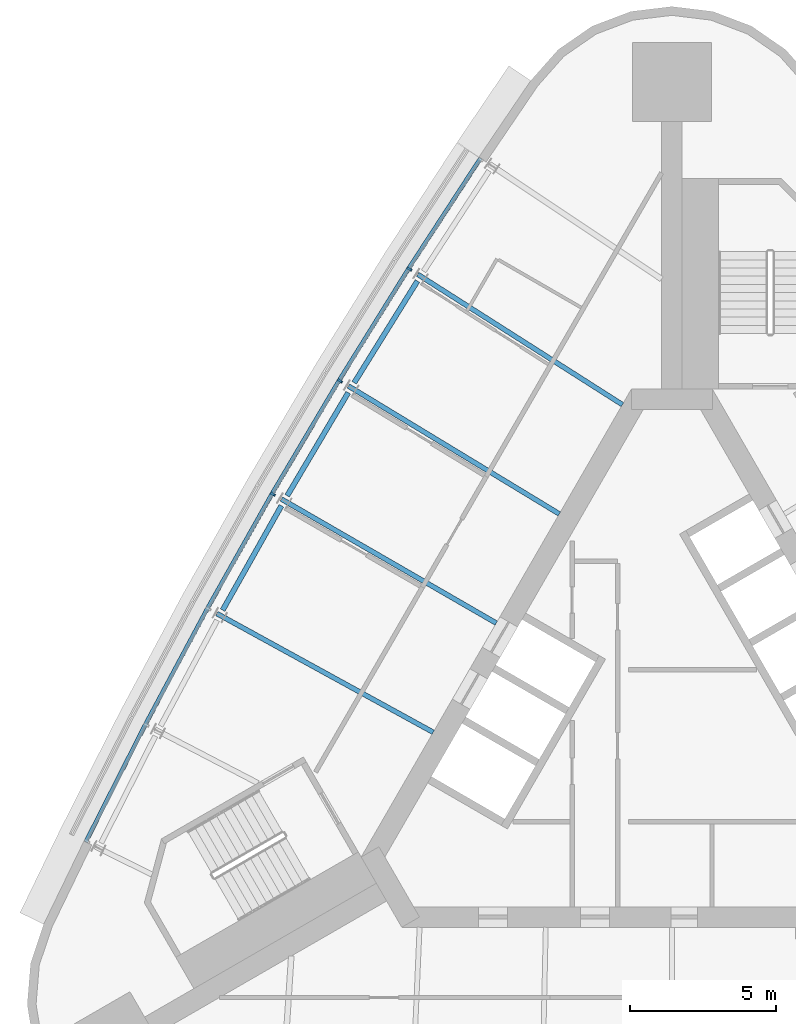
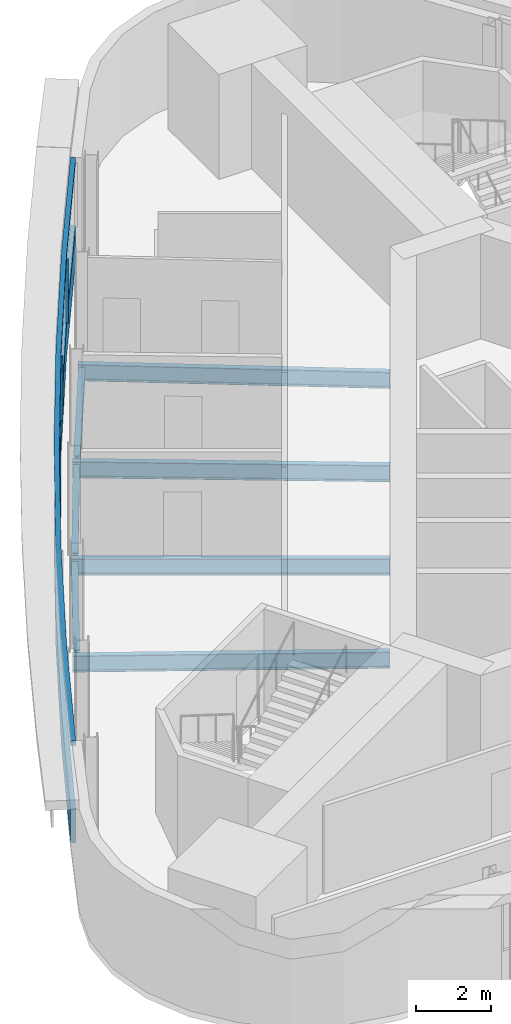
# One storey, part 3 of 10: 7 beams, 5 members, 1 element without a shape of its own.
"""IFC4 building model written with IfcOpenShell, lengths in metres."""

from ifc_helpers import new_model, si_unit, direction, frame, origin, origin_2d, place, context, subcontext, project, spatial, polyline, rectangle, i_section, outline, extrude, material, material_profile, profile_set, type_object, element, aggregate, save


model = new_model("IFC4")

# Units and contexts
model_context = context("Model", 3, precision=1e-05, world=origin(), true_north=direction((0.0, 1.0)))
body_context = subcontext(model_context, "Body", "Model", "MODEL_VIEW")
ifc_project = project(units=[si_unit("LENGTHUNIT", "METRE"), si_unit("AREAUNIT", "SQUARE_METRE"), si_unit("VOLUMEUNIT", "CUBIC_METRE"), si_unit("PLANEANGLEUNIT", "RADIAN"), si_unit("MASSUNIT", "GRAM", prefix="KILO")], contexts=[model_context])

# Site, building, storey
site_placement = place(None, origin())
site = spatial("IfcSite", under=ifc_project, at=site_placement, CompositionType="ELEMENT")
building_placement = place(site_placement, origin())
building = spatial("IfcBuilding", under=site, at=building_placement, Name="Noor Cloister Tower", CompositionType="ELEMENT")
storey_placement = place(building_placement, frame((0.0, 0.0, 195.89990234375)))
storey = spatial("IfcBuildingStorey", under=building, at=storey_placement, Name="L50", CompositionType="ELEMENT", Elevation=195.89990234375)

# Curtain wall, members
ifc_material_1 = material(Name="Aluminium 6063-T6 anodised", Category="aluminium")
curtain_wall_type = type_object("IfcCurtainWallType", Name="Ribbon curtain wall, upper tower CW5", PredefinedType="NOTDEFINED", material=ifc_material_1)
curtain_wall_placement = place(storey_placement, origin())
curtain_wall = element("IfcCurtainWall", 1, at=curtain_wall_placement, inside=storey, type_object=curtain_wall_type, Name="CW5 L50 NW run 1", PredefinedType="NOTDEFINED")
ifc_material_2 = material(Name="Aluminium 6063-T6 anodised", Category="aluminium")
member_type_1 = type_object("IfcMemberType", Name="Head transom CW5 150", PredefinedType="USERDEFINED", material=ifc_material_2)
member_1_placement = place(storey_placement, frame((0.0, 0.0, 3.150146484375)))
member_1 = element("IfcMember", 2, at=member_1_placement, type_object=member_type_1, Name="CW5 head transom", ObjectType="TRANSOM", PredefinedType="USERDEFINED", context=body_context, shape_type="SweptSolid", body=[
    extrude(outline(polyline([(-6.59521484375, 19.38525390625), (-9.052490234375, 15.615478515625), (-11.427734375, 11.79345703125), (-13.7197265625, 7.921142578125), (-15.927490234375, 4.0), (-18.0498046875, 0.031982421875), (-20.085693359375, -3.98095703125), (-19.960693359375, -4.04443359375), (-17.925537109375, -0.03271484375), (-15.8046875, 3.9326171875), (-13.598388671875, 7.85107421875), (-11.30810546875, 11.720947265625), (-8.934326171875, 15.540283203125), (-6.477783203125, 19.308837890625), (-6.59521484375, 19.38525390625)])), origin(), (0.0, 0.0, 1.0), 0.14990234375),
])
ifc_material_3 = material(Name="Aluminium 6063-T6 anodised", Category="aluminium")
ifc_material_profile_1 = material_profile(ifc_material_3, rectangle(XDim=0.179931640625, YDim=0.070068359375, at=origin_2d()), Name="180 x 70 mullion")
ifc_profile_set_1 = profile_set([ifc_material_profile_1], Name="Aluminium 6063-T6 anodised")
member_type_2 = type_object("IfcMemberType", Name="Mullion CW5 70 x 180", PredefinedType="MULLION", material=ifc_profile_set_1)
member_2_placement = place(storey_placement, frame((-8.96826171875, 15.561767578125, 1.10009765625), z_axis=(0.0, 0.0, 1.0), x_axis=(0.843580878103, -0.537002143478, 0.0)))
member_2 = element("IfcMember", 3, at=member_2_placement, type_object=member_type_2, Name="CW5 mullion 2", PredefinedType="MULLION", context=body_context, shape_type="SweptSolid", body=[
    extrude(rectangle(XDim=0.179931640625, YDim=0.070068359375, at=origin_2d()), origin(), (0.0, 0.0, 1.0), 2.050048828125),
])
member_3_placement = place(storey_placement, frame((-11.34228515625, 11.74169921875, 1.10009765625), z_axis=(0.0, 0.0, 1.0), x_axis=(0.855003332989, -0.518622502961, 0.0)))
member_3 = element("IfcMember", 4, at=member_3_placement, type_object=member_type_2, Name="CW5 mullion 3", PredefinedType="MULLION", context=body_context, shape_type="SweptSolid", body=[
    extrude(rectangle(XDim=0.179931640625, YDim=0.070068359375, at=origin_2d()), origin(), (0.0, 0.0, 1.0), 2.050048828125),
])
member_4_placement = place(storey_placement, frame((-13.633056640625, 7.87109375, 1.10009765625), z_axis=(0.0, 0.0, 1.0), x_axis=(0.866025403784, -0.5, 0.0)))
member_4 = element("IfcMember", 5, at=member_4_placement, type_object=member_type_2, Name="CW5 mullion 4", PredefinedType="MULLION", context=body_context, shape_type="SweptSolid", body=[
    extrude(rectangle(XDim=0.179931640625, YDim=0.070068359375, at=origin_2d()), origin(), (0.0, 0.0, 1.0), 2.050048828125),
])

# Beams
ifc_material_4 = material(Name="Steel ASTM A992 Gr 50", Category="steel")
ifc_material_profile_2 = material_profile(ifc_material_4, i_section(OverallWidth=0.166015625, OverallDepth=0.528076171875, WebThickness=0.009765625, FlangeThickness=0.013671875, FilletRadius=0.0126953125, at=origin_2d()), Name="W530x74")
ifc_profile_set_2 = profile_set([ifc_material_profile_2], Name="Steel ASTM A992 Gr 50")
beam_type_1 = type_object("IfcBeamType", Name="Radial beam W530x74", PredefinedType="BEAM", material=ifc_profile_set_2)
beam_1_placement = place(storey_placement, frame((-8.68310546875, 15.38037109375, -0.4638671875), z_axis=(0.84358629089, -0.536993640393, 0.0), x_axis=(0.536993640393, 0.84358629089, 0.0)))
element("IfcBeam", 6, at=beam_1_placement, inside=storey, type_object=beam_type_1, Name="Radial beam NW 02 L50", PredefinedType="BEAM", context=body_context, shape_type="SweptSolid", body=[
    extrude(i_section(OverallWidth=0.166015625, OverallDepth=0.528076171875, WebThickness=0.009765625, FlangeThickness=0.013671875, FilletRadius=0.0126953125, at=origin_2d()), origin(), (0.0, 0.0, 1.0), 8.28955078125),
])
beam_2_placement = place(storey_placement, frame((-11.05322265625, 11.56640625, -0.4638671875), z_axis=(0.855004033078, -0.51862134879, 0.0), x_axis=(0.51862134879, 0.855004033078, 0.0)))
element("IfcBeam", 7, at=beam_2_placement, inside=storey, type_object=beam_type_1, Name="Radial beam NW 03 L50", PredefinedType="BEAM", context=body_context, shape_type="SweptSolid", body=[
    extrude(i_section(OverallWidth=0.166015625, OverallDepth=0.528076171875, WebThickness=0.009765625, FlangeThickness=0.013671875, FilletRadius=0.0126953125, at=origin_2d()), origin(), (0.0, 0.0, 1.0), 8.42919921875),
])
beam_3_placement = place(storey_placement, frame((-13.34033203125, 7.7021484375, -0.4638671875), z_axis=(0.866020579303, -0.500008356154, 0.0), x_axis=(0.500008356154, 0.866020579303, 0.0)))
element("IfcBeam", 8, at=beam_3_placement, inside=storey, type_object=beam_type_1, Name="Radial beam NW 04 L50", PredefinedType="BEAM", context=body_context, shape_type="SweptSolid", body=[
    extrude(i_section(OverallWidth=0.166015625, OverallDepth=0.528076171875, WebThickness=0.009765625, FlangeThickness=0.013671875, FilletRadius=0.0126953125, at=origin_2d()), origin(), (0.0, 0.0, 1.0), 8.475830078125),
])
beam_4_placement = place(storey_placement, frame((-15.54345703125, 3.789306640625, -0.4638671875), z_axis=(0.876636281192, -0.481153645416, 0.0), x_axis=(0.481153645416, 0.876636281192, 0.0)))
element("IfcBeam", 9, at=beam_4_placement, inside=storey, type_object=beam_type_1, Name="Radial beam NW 05 L50", PredefinedType="BEAM", context=body_context, shape_type="SweptSolid", body=[
    extrude(i_section(OverallWidth=0.166015625, OverallDepth=0.528076171875, WebThickness=0.009765625, FlangeThickness=0.013671875, FilletRadius=0.0126953125, at=origin_2d()), origin(), (0.0, 0.0, 1.0), 8.429443359375),
])

# Member
ifc_material_5 = material(Name="Aluminium 6063-T6 anodised", Category="aluminium")
member_type_3 = type_object("IfcMemberType", Name="Sill transom CW5 1100", PredefinedType="USERDEFINED", material=ifc_material_5)
member_5_placement = place(storey_placement, origin())
member_5 = element("IfcMember", 10, at=member_5_placement, type_object=member_type_3, Name="CW5 sill transom", ObjectType="TRANSOM", PredefinedType="USERDEFINED", context=body_context, shape_type="SweptSolid", body=[
    extrude(outline(polyline([(-6.59521484375, 19.38525390625), (-9.052490234375, 15.615478515625), (-11.427734375, 11.79345703125), (-13.7197265625, 7.921142578125), (-15.927490234375, 4.0), (-18.0498046875, 0.031982421875), (-20.085693359375, -3.98095703125), (-19.960693359375, -4.04443359375), (-17.925537109375, -0.03271484375), (-15.8046875, 3.9326171875), (-13.598388671875, 7.85107421875), (-11.30810546875, 11.720947265625), (-8.934326171875, 15.540283203125), (-6.477783203125, 19.308837890625), (-6.59521484375, 19.38525390625)])), origin(), (0.0, 0.0, 1.0), 1.10009765625),
])

aggregate(curtain_wall, [member_2, member_3, member_4, member_5, member_1])

# Beams
ifc_material_6 = material(Name="Steel ASTM A992 Gr 50", Category="steel")
ifc_material_profile_3 = material_profile(ifc_material_6, i_section(OverallWidth=0.177978515625, OverallDepth=0.406005859375, WebThickness=0.0078125, FlangeThickness=0.0126953125, FilletRadius=0.01025390625, at=origin_2d()), Name="W410x60")
ifc_profile_set_3 = profile_set([ifc_material_profile_3], Name="Steel ASTM A992 Gr 50")
beam_type_2 = type_object("IfcBeamType", Name="Spandrel beam W410x60", PredefinedType="SPANDREL", material=ifc_profile_set_3)
for number, where, z_axis, x_axis, name in (
    (11, (-8.692626953125, 15.15283203125, -0.40283203125), (-0.527815540328, -0.8493590262, 0.0), (0.8493590262, -0.527815540328, 0.0), "Spandrel beam NW 02 L50"),
    (12, (-11.057861328125, 11.3388671875, -0.40283203125), (-0.509329906975, -0.860571348501, 0.0), (0.860571348501, -0.509329906975, 0.0), "Spandrel beam NW 03 L50"),
    (13, (-13.340087890625, 7.474365234375, -0.40283203125), (-0.490612281957, -0.871377982734, 0.0), (0.871377982734, -0.490612281957, 0.0), "Spandrel beam NW 04 L50"),
):
    element("IfcBeam", number, at=place(storey_placement, frame(where, z_axis=z_axis, x_axis=x_axis)), inside=storey, type_object=beam_type_2, Name=name, PredefinedType="SPANDREL", context=body_context, shape_type="SweptSolid", body=[
        extrude(i_section(OverallWidth=0.177978515625, OverallDepth=0.406005859375, WebThickness=0.0078125, FlangeThickness=0.0126953125, FilletRadius=0.01025390625, at=origin_2d()), origin(), (0.0, 0.0, 1.0), 4.093994140625),
    ])

save(model, "model.ifc")
